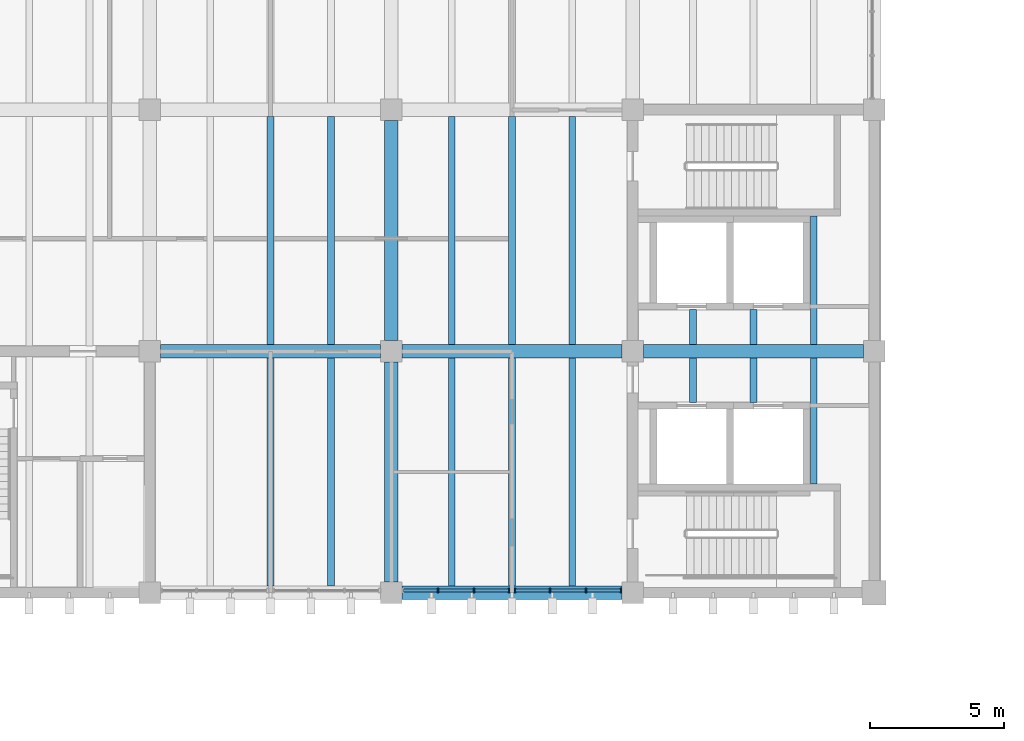
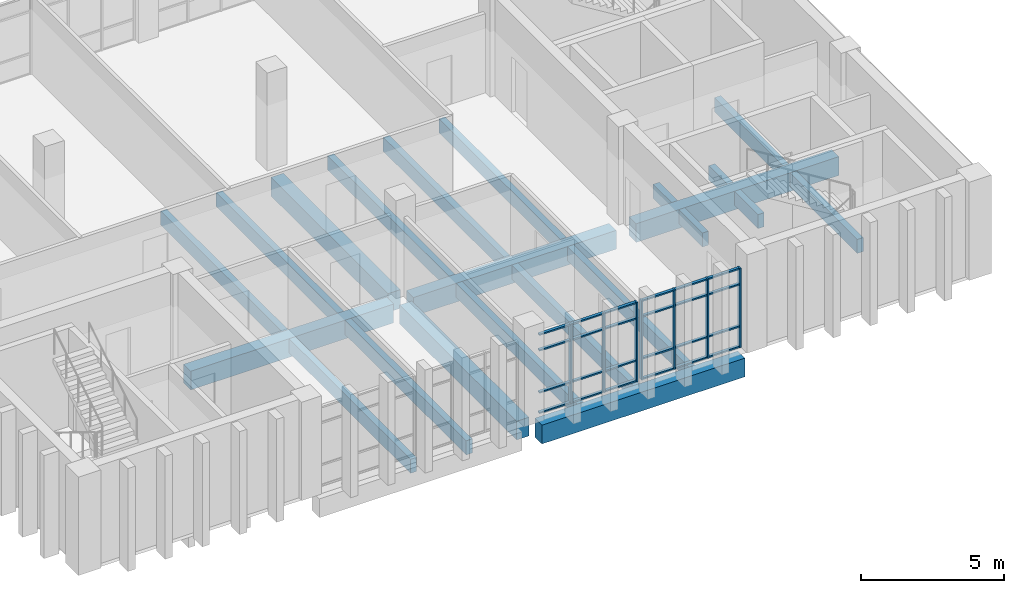
# One storey, part 8 of 29: 31 members, 22 beams, 2 elements without a shape of their own.
"""IFC4 building model written with IfcOpenShell, lengths in metres."""

from ifc_helpers import new_model, si_unit, direction, frame, origin, origin_2d, place, context, subcontext, project, spatial, rectangle, extrude, material, material_profile, profile_set, type_object, element, aggregate, save


model = new_model("IFC4")

# Units and contexts
model_context = context("Model", 3, precision=1e-05, world=origin(), true_north=direction((0.0, 1.0)))
body_context = subcontext(model_context, "Body", "Model", "MODEL_VIEW")
ifc_project = project(units=[si_unit("LENGTHUNIT", "METRE"), si_unit("AREAUNIT", "SQUARE_METRE"), si_unit("VOLUMEUNIT", "CUBIC_METRE"), si_unit("PLANEANGLEUNIT", "RADIAN"), si_unit("MASSUNIT", "GRAM", prefix="KILO")], contexts=[model_context])

# Site, building, storey
site_placement = place(None, origin())
site = spatial("IfcSite", under=ifc_project, at=site_placement, CompositionType="ELEMENT")
building_placement = place(site_placement, origin())
building = spatial("IfcBuilding", under=site, at=building_placement, Name="Merrow Basin Faculty of Sciences", CompositionType="ELEMENT")
storey_placement = place(building_placement, frame((0.0, 0.0, 22.5)))
storey = spatial("IfcBuildingStorey", under=building, at=storey_placement, Name="L05", CompositionType="ELEMENT", Elevation=22.5)

# Curtain wall, members
ifc_material_1 = material(Name="Aluminium alloy 6063", Category="aluminium")
curtain_wall_type = type_object("IfcCurtainWallType", Name="Unitised curtain wall 160", PredefinedType="NOTDEFINED", material=ifc_material_1)
curtain_wall_1_placement = place(storey_placement, origin())
curtain_wall_1 = element("IfcCurtainWall", 1, at=curtain_wall_1_placement, inside=storey, type_object=curtain_wall_type, Name="S curtain wall L05 3", PredefinedType="NOTDEFINED")
ifc_material_2 = material(Name="Aluminium alloy 6063", Category="aluminium")
ifc_material_profile_1 = material_profile(ifc_material_2, rectangle(XDim=0.159912109375, YDim=0.06005859375, at=origin_2d()))
ifc_profile_set_1 = profile_set([ifc_material_profile_1], Name="Aluminium alloy 6063")
member_type_1 = type_object("IfcMemberType", Name="Aluminium mullion 60x160", PredefinedType="MULLION", material=ifc_profile_set_1)
member_1_placement = place(storey_placement, frame((37.74169921875, 142.080078125, 0.0), z_axis=(0.0, 0.0, 1.0), x_axis=(0.0, 1.0, 0.0)))
member_1 = element("IfcMember", 2, at=member_1_placement, type_object=member_type_1, Name="CW3 mullion 2", PredefinedType="MULLION", context=body_context, shape_type="SweptSolid", body=[
    extrude(rectangle(XDim=0.159912109375, YDim=0.06005859375, at=origin_2d()), origin(), (0.0, 0.0, 1.0), 3.39990234375),
])
member_2_placement = place(storey_placement, frame((39.083251953125, 142.080078125, 0.0), z_axis=(0.0, 0.0, 1.0), x_axis=(0.0, 1.0, 0.0)))
member_2 = element("IfcMember", 3, at=member_2_placement, type_object=member_type_1, Name="CW3 mullion 3", PredefinedType="MULLION", context=body_context, shape_type="SweptSolid", body=[
    extrude(rectangle(XDim=0.159912109375, YDim=0.06005859375, at=origin_2d()), origin(), (0.0, 0.0, 1.0), 3.39990234375),
])
member_3_placement = place(storey_placement, frame((40.39501953125, 142.080078125, 0.0), z_axis=(0.0, 0.0, 1.0), x_axis=(0.0, 1.0, 0.0)))
member_3 = element("IfcMember", 4, at=member_3_placement, type_object=member_type_1, Name="CW3 mullion 4", PredefinedType="MULLION", context=body_context, shape_type="SweptSolid", body=[
    extrude(rectangle(XDim=0.159912109375, YDim=0.06005859375, at=origin_2d()), origin(), (0.0, 0.0, 1.0), 3.39990234375),
])

curtain_wall_2_placement = place(storey_placement, origin())
curtain_wall_2 = element("IfcCurtainWall", 5, at=curtain_wall_2_placement, inside=storey, type_object=curtain_wall_type, Name="S curtain wall L05 4", PredefinedType="NOTDEFINED")
member_4_placement = place(storey_placement, frame((40.60498046875, 142.080078125, 0.0), z_axis=(0.0, 0.0, 1.0), x_axis=(0.0, 1.0, 0.0)))
member_4 = element("IfcMember", 6, at=member_4_placement, type_object=member_type_1, Name="CW3 mullion 1", PredefinedType="MULLION", context=body_context, shape_type="SweptSolid", body=[
    extrude(rectangle(XDim=0.159912109375, YDim=0.06005859375, at=origin_2d()), origin(), (0.0, 0.0, 1.0), 3.39990234375),
])
member_5_placement = place(storey_placement, frame((41.916748046875, 142.080078125, 0.0), z_axis=(0.0, 0.0, 1.0), x_axis=(0.0, 1.0, 0.0)))
member_5 = element("IfcMember", 7, at=member_5_placement, type_object=member_type_1, Name="CW3 mullion 2", PredefinedType="MULLION", context=body_context, shape_type="SweptSolid", body=[
    extrude(rectangle(XDim=0.159912109375, YDim=0.06005859375, at=origin_2d()), origin(), (0.0, 0.0, 1.0), 3.39990234375),
])
member_6_placement = place(storey_placement, frame((43.25830078125, 142.080078125, 0.0), z_axis=(0.0, 0.0, 1.0), x_axis=(0.0, 1.0, 0.0)))
member_6 = element("IfcMember", 8, at=member_6_placement, type_object=member_type_1, Name="CW3 mullion 3", PredefinedType="MULLION", context=body_context, shape_type="SweptSolid", body=[
    extrude(rectangle(XDim=0.159912109375, YDim=0.06005859375, at=origin_2d()), origin(), (0.0, 0.0, 1.0), 3.39990234375),
])
member_7_placement = place(storey_placement, frame((44.570068359375, 142.080078125, 0.0), z_axis=(0.0, 0.0, 1.0), x_axis=(0.0, 1.0, 0.0)))
member_7 = element("IfcMember", 9, at=member_7_placement, type_object=member_type_1, Name="CW3 mullion 4", PredefinedType="MULLION", context=body_context, shape_type="SweptSolid", body=[
    extrude(rectangle(XDim=0.159912109375, YDim=0.06005859375, at=origin_2d()), origin(), (0.0, 0.0, 1.0), 3.39990234375),
])

# Member
ifc_material_3 = material(Name="Aluminium alloy 6063", Category="aluminium")
ifc_material_profile_2 = material_profile(ifc_material_3, rectangle(XDim=0.1201171875, YDim=0.06005859375, at=origin_2d()))
ifc_profile_set_2 = profile_set([ifc_material_profile_2], Name="Aluminium alloy 6063")
member_type_2 = type_object("IfcMemberType", Name="Aluminium transom 60x120", PredefinedType="USERDEFINED", material=ifc_profile_set_2)
member_8_placement = place(storey_placement, frame((36.4599609375, 142.080078125, 0.030029296875), z_axis=(1.0, 0.0, 0.0), x_axis=(0.0, 1.0, 0.0)))
member_8 = element("IfcMember", 10, at=member_8_placement, type_object=member_type_2, Name="CW3 transom 1.1", ObjectType="TRANSOM", PredefinedType="USERDEFINED", context=body_context, shape_type="SweptSolid", body=[
    extrude(rectangle(XDim=0.1201171875, YDim=0.06005859375, at=origin_2d()), origin(), (0.0, 0.0, 1.0), 1.251708984375),
])

member_9_placement = place(storey_placement, frame((36.4599609375, 142.080078125, 0.89990234375), z_axis=(1.0, 0.0, 0.0), x_axis=(0.0, 1.0, 0.0)))
member_9 = element("IfcMember", 11, at=member_9_placement, type_object=member_type_2, Name="CW3 transom 1.2", ObjectType="TRANSOM", PredefinedType="USERDEFINED", context=body_context, shape_type="SweptSolid", body=[
    extrude(rectangle(XDim=0.1201171875, YDim=0.06005859375, at=origin_2d()), origin(), (0.0, 0.0, 1.0), 1.251708984375),
])

member_10_placement = place(storey_placement, frame((36.4599609375, 142.080078125, 2.699951171875), z_axis=(1.0, 0.0, 0.0), x_axis=(0.0, 1.0, 0.0)))
member_10 = element("IfcMember", 12, at=member_10_placement, type_object=member_type_2, Name="CW3 transom 1.3", ObjectType="TRANSOM", PredefinedType="USERDEFINED", context=body_context, shape_type="SweptSolid", body=[
    extrude(rectangle(XDim=0.1201171875, YDim=0.06005859375, at=origin_2d()), origin(), (0.0, 0.0, 1.0), 1.251708984375),
])

member_11_placement = place(storey_placement, frame((36.4599609375, 142.080078125, 3.3701171875), z_axis=(1.0, 0.0, 0.0), x_axis=(0.0, 1.0, 0.0)))
member_11 = element("IfcMember", 13, at=member_11_placement, type_object=member_type_2, Name="CW3 transom 1.4", ObjectType="TRANSOM", PredefinedType="USERDEFINED", context=body_context, shape_type="SweptSolid", body=[
    extrude(rectangle(XDim=0.1201171875, YDim=0.06005859375, at=origin_2d()), origin(), (0.0, 0.0, 1.0), 1.251708984375),
])

member_12_placement = place(storey_placement, frame((37.771728515625, 142.080078125, 0.030029296875), z_axis=(1.0, 0.0, 0.0), x_axis=(0.0, 1.0, 0.0)))
member_12 = element("IfcMember", 14, at=member_12_placement, type_object=member_type_2, Name="CW3 transom 2.1", ObjectType="TRANSOM", PredefinedType="USERDEFINED", context=body_context, shape_type="SweptSolid", body=[
    extrude(rectangle(XDim=0.1201171875, YDim=0.06005859375, at=origin_2d()), origin(), (0.0, 0.0, 1.0), 1.281494140625),
])

member_13_placement = place(storey_placement, frame((37.771728515625, 142.080078125, 0.89990234375), z_axis=(1.0, 0.0, 0.0), x_axis=(0.0, 1.0, 0.0)))
member_13 = element("IfcMember", 15, at=member_13_placement, type_object=member_type_2, Name="CW3 transom 2.2", ObjectType="TRANSOM", PredefinedType="USERDEFINED", context=body_context, shape_type="SweptSolid", body=[
    extrude(rectangle(XDim=0.1201171875, YDim=0.06005859375, at=origin_2d()), origin(), (0.0, 0.0, 1.0), 1.281494140625),
])

member_14_placement = place(storey_placement, frame((37.771728515625, 142.080078125, 2.699951171875), z_axis=(1.0, 0.0, 0.0), x_axis=(0.0, 1.0, 0.0)))
member_14 = element("IfcMember", 16, at=member_14_placement, type_object=member_type_2, Name="CW3 transom 2.3", ObjectType="TRANSOM", PredefinedType="USERDEFINED", context=body_context, shape_type="SweptSolid", body=[
    extrude(rectangle(XDim=0.1201171875, YDim=0.06005859375, at=origin_2d()), origin(), (0.0, 0.0, 1.0), 1.281494140625),
])

member_15_placement = place(storey_placement, frame((37.771728515625, 142.080078125, 3.3701171875), z_axis=(1.0, 0.0, 0.0), x_axis=(0.0, 1.0, 0.0)))
member_15 = element("IfcMember", 17, at=member_15_placement, type_object=member_type_2, Name="CW3 transom 2.4", ObjectType="TRANSOM", PredefinedType="USERDEFINED", context=body_context, shape_type="SweptSolid", body=[
    extrude(rectangle(XDim=0.1201171875, YDim=0.06005859375, at=origin_2d()), origin(), (0.0, 0.0, 1.0), 1.281494140625),
])

member_16_placement = place(storey_placement, frame((39.11328125, 142.080078125, 0.030029296875), z_axis=(1.0, 0.0, 0.0), x_axis=(0.0, 1.0, 0.0)))
member_16 = element("IfcMember", 18, at=member_16_placement, type_object=member_type_2, Name="CW3 transom 3.1", ObjectType="TRANSOM", PredefinedType="USERDEFINED", context=body_context, shape_type="SweptSolid", body=[
    extrude(rectangle(XDim=0.1201171875, YDim=0.06005859375, at=origin_2d()), origin(), (0.0, 0.0, 1.0), 1.251708984375),
])

member_17_placement = place(storey_placement, frame((39.11328125, 142.080078125, 0.89990234375), z_axis=(1.0, 0.0, 0.0), x_axis=(0.0, 1.0, 0.0)))
member_17 = element("IfcMember", 19, at=member_17_placement, type_object=member_type_2, Name="CW3 transom 3.2", ObjectType="TRANSOM", PredefinedType="USERDEFINED", context=body_context, shape_type="SweptSolid", body=[
    extrude(rectangle(XDim=0.1201171875, YDim=0.06005859375, at=origin_2d()), origin(), (0.0, 0.0, 1.0), 1.251708984375),
])

member_18_placement = place(storey_placement, frame((39.11328125, 142.080078125, 2.699951171875), z_axis=(1.0, 0.0, 0.0), x_axis=(0.0, 1.0, 0.0)))
member_18 = element("IfcMember", 20, at=member_18_placement, type_object=member_type_2, Name="CW3 transom 3.3", ObjectType="TRANSOM", PredefinedType="USERDEFINED", context=body_context, shape_type="SweptSolid", body=[
    extrude(rectangle(XDim=0.1201171875, YDim=0.06005859375, at=origin_2d()), origin(), (0.0, 0.0, 1.0), 1.251708984375),
])

member_19_placement = place(storey_placement, frame((39.11328125, 142.080078125, 3.3701171875), z_axis=(1.0, 0.0, 0.0), x_axis=(0.0, 1.0, 0.0)))
member_19 = element("IfcMember", 21, at=member_19_placement, type_object=member_type_2, Name="CW3 transom 3.4", ObjectType="TRANSOM", PredefinedType="USERDEFINED", context=body_context, shape_type="SweptSolid", body=[
    extrude(rectangle(XDim=0.1201171875, YDim=0.06005859375, at=origin_2d()), origin(), (0.0, 0.0, 1.0), 1.251708984375),
])

aggregate(curtain_wall_1, [member_1, member_2, member_3, member_8, member_9, member_10, member_11, member_12, member_13, member_14, member_15, member_16, member_17, member_18, member_19])

member_20_placement = place(storey_placement, frame((40.635009765625, 142.080078125, 0.030029296875), z_axis=(1.0, 0.0, 0.0), x_axis=(0.0, 1.0, 0.0)))
member_20 = element("IfcMember", 22, at=member_20_placement, type_object=member_type_2, Name="CW3 transom 1.1", ObjectType="TRANSOM", PredefinedType="USERDEFINED", context=body_context, shape_type="SweptSolid", body=[
    extrude(rectangle(XDim=0.1201171875, YDim=0.06005859375, at=origin_2d()), origin(), (0.0, 0.0, 1.0), 1.251708984375),
])

member_21_placement = place(storey_placement, frame((40.635009765625, 142.080078125, 0.89990234375), z_axis=(1.0, 0.0, 0.0), x_axis=(0.0, 1.0, 0.0)))
member_21 = element("IfcMember", 23, at=member_21_placement, type_object=member_type_2, Name="CW3 transom 1.2", ObjectType="TRANSOM", PredefinedType="USERDEFINED", context=body_context, shape_type="SweptSolid", body=[
    extrude(rectangle(XDim=0.1201171875, YDim=0.06005859375, at=origin_2d()), origin(), (0.0, 0.0, 1.0), 1.251708984375),
])

member_22_placement = place(storey_placement, frame((40.635009765625, 142.080078125, 2.699951171875), z_axis=(1.0, 0.0, 0.0), x_axis=(0.0, 1.0, 0.0)))
member_22 = element("IfcMember", 24, at=member_22_placement, type_object=member_type_2, Name="CW3 transom 1.3", ObjectType="TRANSOM", PredefinedType="USERDEFINED", context=body_context, shape_type="SweptSolid", body=[
    extrude(rectangle(XDim=0.1201171875, YDim=0.06005859375, at=origin_2d()), origin(), (0.0, 0.0, 1.0), 1.251708984375),
])

member_23_placement = place(storey_placement, frame((40.635009765625, 142.080078125, 3.3701171875), z_axis=(1.0, 0.0, 0.0), x_axis=(0.0, 1.0, 0.0)))
member_23 = element("IfcMember", 25, at=member_23_placement, type_object=member_type_2, Name="CW3 transom 1.4", ObjectType="TRANSOM", PredefinedType="USERDEFINED", context=body_context, shape_type="SweptSolid", body=[
    extrude(rectangle(XDim=0.1201171875, YDim=0.06005859375, at=origin_2d()), origin(), (0.0, 0.0, 1.0), 1.251708984375),
])

member_24_placement = place(storey_placement, frame((41.94677734375, 142.080078125, 0.030029296875), z_axis=(1.0, 0.0, 0.0), x_axis=(0.0, 1.0, 0.0)))
member_24 = element("IfcMember", 26, at=member_24_placement, type_object=member_type_2, Name="CW3 transom 2.1", ObjectType="TRANSOM", PredefinedType="USERDEFINED", context=body_context, shape_type="SweptSolid", body=[
    extrude(rectangle(XDim=0.1201171875, YDim=0.06005859375, at=origin_2d()), origin(), (0.0, 0.0, 1.0), 1.281494140625),
])

member_25_placement = place(storey_placement, frame((41.94677734375, 142.080078125, 0.89990234375), z_axis=(1.0, 0.0, 0.0), x_axis=(0.0, 1.0, 0.0)))
member_25 = element("IfcMember", 27, at=member_25_placement, type_object=member_type_2, Name="CW3 transom 2.2", ObjectType="TRANSOM", PredefinedType="USERDEFINED", context=body_context, shape_type="SweptSolid", body=[
    extrude(rectangle(XDim=0.1201171875, YDim=0.06005859375, at=origin_2d()), origin(), (0.0, 0.0, 1.0), 1.281494140625),
])

member_26_placement = place(storey_placement, frame((41.94677734375, 142.080078125, 2.699951171875), z_axis=(1.0, 0.0, 0.0), x_axis=(0.0, 1.0, 0.0)))
member_26 = element("IfcMember", 28, at=member_26_placement, type_object=member_type_2, Name="CW3 transom 2.3", ObjectType="TRANSOM", PredefinedType="USERDEFINED", context=body_context, shape_type="SweptSolid", body=[
    extrude(rectangle(XDim=0.1201171875, YDim=0.06005859375, at=origin_2d()), origin(), (0.0, 0.0, 1.0), 1.281494140625),
])

member_27_placement = place(storey_placement, frame((41.94677734375, 142.080078125, 3.3701171875), z_axis=(1.0, 0.0, 0.0), x_axis=(0.0, 1.0, 0.0)))
member_27 = element("IfcMember", 29, at=member_27_placement, type_object=member_type_2, Name="CW3 transom 2.4", ObjectType="TRANSOM", PredefinedType="USERDEFINED", context=body_context, shape_type="SweptSolid", body=[
    extrude(rectangle(XDim=0.1201171875, YDim=0.06005859375, at=origin_2d()), origin(), (0.0, 0.0, 1.0), 1.281494140625),
])

member_28_placement = place(storey_placement, frame((43.288330078125, 142.080078125, 0.030029296875), z_axis=(1.0, 0.0, 0.0), x_axis=(0.0, 1.0, 0.0)))
member_28 = element("IfcMember", 30, at=member_28_placement, type_object=member_type_2, Name="CW3 transom 3.1", ObjectType="TRANSOM", PredefinedType="USERDEFINED", context=body_context, shape_type="SweptSolid", body=[
    extrude(rectangle(XDim=0.1201171875, YDim=0.06005859375, at=origin_2d()), origin(), (0.0, 0.0, 1.0), 1.251708984375),
])

member_29_placement = place(storey_placement, frame((43.288330078125, 142.080078125, 0.89990234375), z_axis=(1.0, 0.0, 0.0), x_axis=(0.0, 1.0, 0.0)))
member_29 = element("IfcMember", 31, at=member_29_placement, type_object=member_type_2, Name="CW3 transom 3.2", ObjectType="TRANSOM", PredefinedType="USERDEFINED", context=body_context, shape_type="SweptSolid", body=[
    extrude(rectangle(XDim=0.1201171875, YDim=0.06005859375, at=origin_2d()), origin(), (0.0, 0.0, 1.0), 1.251708984375),
])

member_30_placement = place(storey_placement, frame((43.288330078125, 142.080078125, 2.699951171875), z_axis=(1.0, 0.0, 0.0), x_axis=(0.0, 1.0, 0.0)))
member_30 = element("IfcMember", 32, at=member_30_placement, type_object=member_type_2, Name="CW3 transom 3.3", ObjectType="TRANSOM", PredefinedType="USERDEFINED", context=body_context, shape_type="SweptSolid", body=[
    extrude(rectangle(XDim=0.1201171875, YDim=0.06005859375, at=origin_2d()), origin(), (0.0, 0.0, 1.0), 1.251708984375),
])

member_31_placement = place(storey_placement, frame((43.288330078125, 142.080078125, 3.3701171875), z_axis=(1.0, 0.0, 0.0), x_axis=(0.0, 1.0, 0.0)))
member_31 = element("IfcMember", 33, at=member_31_placement, type_object=member_type_2, Name="CW3 transom 3.4", ObjectType="TRANSOM", PredefinedType="USERDEFINED", context=body_context, shape_type="SweptSolid", body=[
    extrude(rectangle(XDim=0.1201171875, YDim=0.06005859375, at=origin_2d()), origin(), (0.0, 0.0, 1.0), 1.251708984375),
])

aggregate(curtain_wall_2, [member_4, member_5, member_6, member_7, member_20, member_21, member_22, member_23, member_24, member_25, member_26, member_27, member_28, member_29, member_30, member_31])

# Beams
ifc_material_4 = material(Name="Concrete C40/50", Category="concrete")
ifc_material_profile_3 = material_profile(ifc_material_4, rectangle(XDim=0.5, YDim=0.800048828125, at=origin_2d()))
ifc_profile_set_3 = profile_set([ifc_material_profile_3], Name="Concrete C40/50")
beam_type_1 = type_object("IfcBeamType", Name="Beam RC500x800 C40/50", PredefinedType="BEAM", material=ifc_profile_set_3)
for number, where, z_axis, x_axis, name in (
    (34, (36.39990234375, 142.0, -0.699951171875), (1.0, 0.0, 0.0), (0.0, 1.0, 0.0), "B4 L05 002"),
    (35, (27.39990234375, 151.0, -0.699951171875), (1.0, 0.0, 0.0), (0.0, 1.0, 0.0), "B4 L05 003"),
    (36, (36.39990234375, 151.0, -0.699951171875), (1.0, 0.0, 0.0), (0.0, 1.0, 0.0), "B4 L05 004"),
    (37, (45.39990234375, 151.0, -0.699951171875), (1.0, 0.0, 0.0), (0.0, 1.0, 0.0), "B4 L05 005"),
    (38, (36.0, 142.39990234375, -0.699951171875), (0.0, 1.0, 0.0), (-1.0, 0.0, 0.0), "B4 L05 017"),
    (39, (36.0, 151.39990234375, -0.699951171875), (0.0, 1.0, 0.0), (-1.0, 0.0, 0.0), "B4 L05 018"),
):
    element("IfcBeam", number, at=place(storey_placement, frame(where, z_axis=z_axis, x_axis=x_axis)), inside=storey, type_object=beam_type_1, Name=name, PredefinedType="BEAM", context=body_context, shape_type="SweptSolid", body=[
        extrude(rectangle(XDim=0.5, YDim=0.800048828125, at=origin_2d()), origin(), (0.0, 0.0, 1.0), 8.2001953125),
    ])
ifc_material_5 = material(Name="Concrete C40/50", Category="concrete")
ifc_material_profile_4 = material_profile(ifc_material_5, rectangle(XDim=0.25, YDim=0.60009765625, at=origin_2d()))
ifc_profile_set_4 = profile_set([ifc_material_profile_4], Name="Concrete C40/50")
beam_type_2 = type_object("IfcBeamType", Name="Tower floor joist RC250x600 C40/50", PredefinedType="BEAM", material=ifc_profile_set_4)
for number, where, z_axis, x_axis, name in (
    (40, (31.5, 142.25, -0.60009765625), (0.0, 1.0, 0.0), (-1.0, 0.0, 0.0), "JT1 L05 033"),
    (41, (33.75, 142.25, -0.60009765625), (0.0, 1.0, 0.0), (-1.0, 0.0, 0.0), "JT1 L05 034"),
    (42, (31.5, 151.25, -0.60009765625), (0.0, 1.0, 0.0), (-1.0, 0.0, 0.0), "JT1 L05 036"),
    (43, (33.75, 151.25, -0.60009765625), (0.0, 1.0, 0.0), (-1.0, 0.0, 0.0), "JT1 L05 037"),
    (44, (38.25, 142.25, -0.60009765625), (0.0, 1.0, 0.0), (-1.0, 0.0, 0.0), "JT1 L05 041"),
    (45, (40.5, 142.25, -0.60009765625), (0.0, 1.0, 0.0), (-1.0, 0.0, 0.0), "JT1 L05 042"),
    (46, (42.75, 142.25, -0.60009765625), (0.0, 1.0, 0.0), (-1.0, 0.0, 0.0), "JT1 L05 043"),
    (47, (38.25, 151.25, -0.60009765625), (0.0, 1.0, 0.0), (-1.0, 0.0, 0.0), "JT1 L05 044"),
    (48, (40.5, 151.25, -0.60009765625), (0.0, 1.0, 0.0), (-1.0, 0.0, 0.0), "JT1 L05 045"),
    (49, (42.75, 151.25, -0.60009765625), (0.0, 1.0, 0.0), (-1.0, 0.0, 0.0), "JT1 L05 046"),
):
    element("IfcBeam", number, at=place(storey_placement, frame(where, z_axis=z_axis, x_axis=x_axis)), inside=storey, type_object=beam_type_2, Name=name, PredefinedType="BEAM", context=body_context, shape_type="SweptSolid", body=[
        extrude(rectangle(XDim=0.25, YDim=0.60009765625, at=origin_2d()), origin(), (0.0, 0.0, 1.0), 8.5),
    ])
for number, where, z_axis, x_axis, name in (
    (50, (47.25, 149.10009765625, -0.60009765625), (0.0, 1.0, 0.0), (-1.0, 0.0, 0.0), "JT1 L05 050"),
    (51, (49.5, 149.10009765625, -0.60009765625), (0.0, 1.0, 0.0), (-1.0, 0.0, 0.0), "JT1 L05 051"),
):
    element("IfcBeam", number, at=place(storey_placement, frame(where, z_axis=z_axis, x_axis=x_axis)), inside=storey, type_object=beam_type_2, Name=name, PredefinedType="BEAM", context=body_context, shape_type="SweptSolid", body=[
        extrude(rectangle(XDim=0.25, YDim=0.60009765625, at=origin_2d()), origin(), (0.0, 0.0, 1.0), 1.64990234375),
    ])
beam_1_placement = place(storey_placement, frame((51.75, 146.050048828125, -0.60009765625), z_axis=(0.0, 1.0, 0.0), x_axis=(-1.0, 0.0, 0.0)))
element("IfcBeam", 52, at=beam_1_placement, inside=storey, type_object=beam_type_2, Name="JT1 L05 052", PredefinedType="BEAM", context=body_context, shape_type="SweptSolid", body=[
    extrude(rectangle(XDim=0.25, YDim=0.60009765625, at=origin_2d()), origin(), (0.0, 0.0, 1.0), 4.699951171875),
])
for number, where, z_axis, x_axis, name in (
    (53, (47.25, 151.25, -0.60009765625), (0.0, 1.0, 0.0), (-1.0, 0.0, 0.0), "JT1 L05 053"),
    (54, (49.5, 151.25, -0.60009765625), (0.0, 1.0, 0.0), (-1.0, 0.0, 0.0), "JT1 L05 054"),
):
    element("IfcBeam", number, at=place(storey_placement, frame(where, z_axis=z_axis, x_axis=x_axis)), inside=storey, type_object=beam_type_2, Name=name, PredefinedType="BEAM", context=body_context, shape_type="SweptSolid", body=[
        extrude(rectangle(XDim=0.25, YDim=0.60009765625, at=origin_2d()), origin(), (0.0, 0.0, 1.0), 1.300048828125),
    ])
beam_2_placement = place(storey_placement, frame((51.75, 151.25, -0.60009765625), z_axis=(0.0, 1.0, 0.0), x_axis=(-1.0, 0.0, 0.0)))
element("IfcBeam", 55, at=beam_2_placement, inside=storey, type_object=beam_type_2, Name="JT1 L05 055", PredefinedType="BEAM", context=body_context, shape_type="SweptSolid", body=[
    extrude(rectangle(XDim=0.25, YDim=0.60009765625, at=origin_2d()), origin(), (0.0, 0.0, 1.0), 4.800048828125),
])

save(model, "model.ifc")
